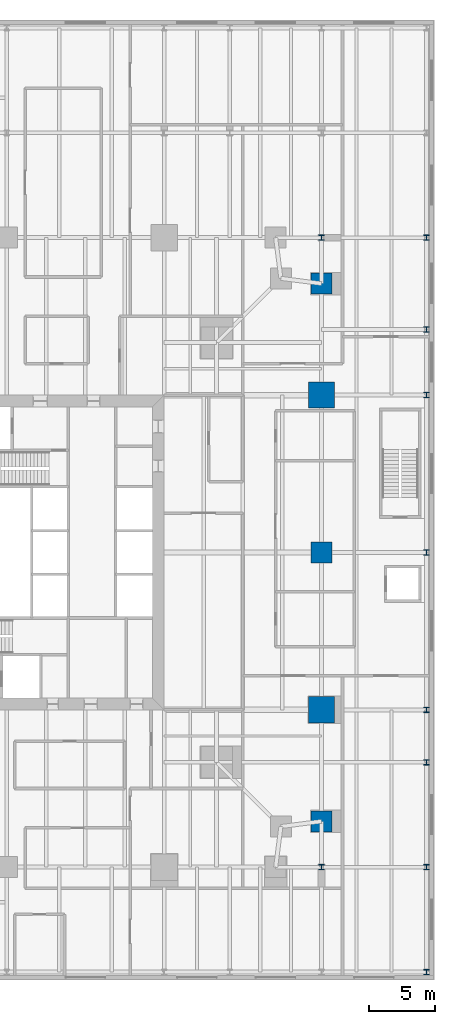
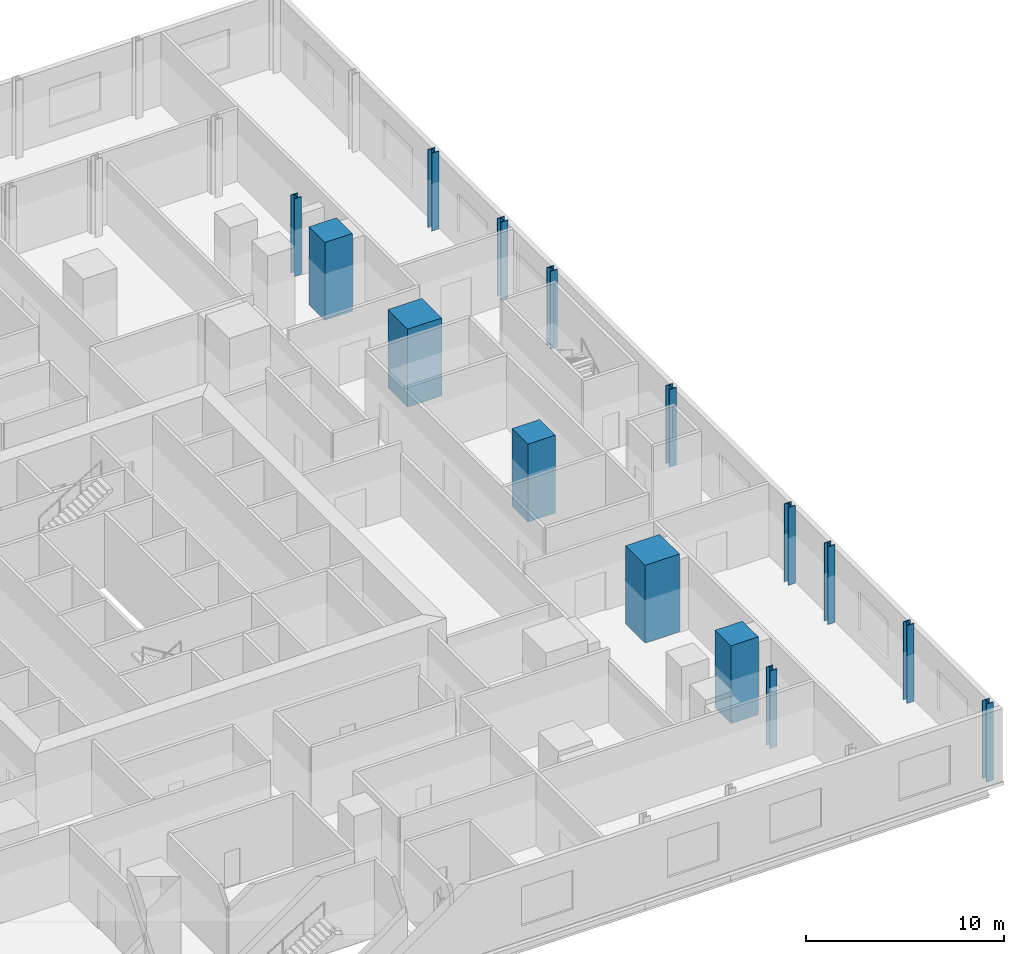
# One storey, part 2 of 17: 15 columns.
"""IFC4 building model written with IfcOpenShell, lengths in metres."""

from ifc_helpers import new_model, si_unit, direction, frame, origin, origin_2d, place, context, subcontext, project, spatial, rectangle, i_section, extrude, material, material_profile, profile_set, type_object, element, save


model = new_model("IFC4")

# Units and contexts
model_context = context("Model", 3, precision=1e-05, world=origin(), true_north=direction((0.0, 1.0)))
body_context = subcontext(model_context, "Body", "Model", "MODEL_VIEW")
ifc_project = project(units=[si_unit("LENGTHUNIT", "METRE"), si_unit("AREAUNIT", "SQUARE_METRE"), si_unit("VOLUMEUNIT", "CUBIC_METRE"), si_unit("PLANEANGLEUNIT", "RADIAN"), si_unit("MASSUNIT", "GRAM", prefix="KILO")], contexts=[model_context])

# Site, building, storey
site_placement = place(None, origin())
site = spatial("IfcSite", under=ifc_project, at=site_placement, CompositionType="ELEMENT")
building_placement = place(site_placement, origin())
building = spatial("IfcBuilding", under=site, at=building_placement, Name="Fenwick Lantern Interchange", CompositionType="ELEMENT")
storey_placement = place(building_placement, frame((0.0, 0.0, 21.39990234375)))
storey = spatial("IfcBuildingStorey", under=building, at=storey_placement, Name="L04", CompositionType="ELEMENT", Elevation=21.39990234375)

# Columns
ifc_material_1 = material(Name="Concrete f'c 70 MPa", Category="concrete")
ifc_material_profile_1 = material_profile(ifc_material_1, rectangle(XDim=1.60009765625, YDim=1.60009765625, at=origin_2d()), Name="RC1600X1600")
ifc_profile_set_1 = profile_set([ifc_material_profile_1], Name="Concrete f'c 70 MPa")
column_type_1 = type_object("IfcColumnType", Name="PERIMETER COLUMN RC1600X1600", PredefinedType="COLUMN", material=ifc_profile_set_1)
for number, where, z_axis, x_axis, name in (
    (1, (49.0, 4.5, 0.0), (0.0, 0.0, 1.0), (1.0, 0.0, 0.0), "L04/CE1"),
    (2, (49.0, 25.0, 0.0), (0.0, 0.0, 1.0), (1.0, 0.0, 0.0), "L04/CE3"),
    (3, (49.0, 45.5, 0.0), (0.0, 0.0, 1.0), (1.0, 0.0, 0.0), "L04/CE5"),
):
    element("IfcColumn", number, at=place(storey_placement, frame(where, z_axis=z_axis, x_axis=x_axis)), inside=storey, type_object=column_type_1, Name=name, PredefinedType="COLUMN", context=body_context, shape_type="SweptSolid", body=[
        extrude(rectangle(XDim=1.60009765625, YDim=1.60009765625, at=origin_2d()), origin(), (0.0, 0.0, 1.0), 4.800048828125),
    ])
ifc_material_profile_2 = material_profile(ifc_material_1, rectangle(XDim=2.0, YDim=2.0, at=origin_2d()), Name="RC2000X2000")
ifc_profile_set_2 = profile_set([ifc_material_profile_2], Name="Concrete f'c 70 MPa")
column_type_2 = type_object("IfcColumnType", Name="PERIMETER COLUMN RC2000X2000", PredefinedType="COLUMN", material=ifc_profile_set_2)
for number, where, z_axis, x_axis, name in (
    (4, (49.0, 13.0, 0.0), (0.0, 0.0, 1.0), (1.0, 0.0, 0.0), "L04/CE2"),
    (5, (49.0, 37.0, 0.0), (0.0, 0.0, 1.0), (1.0, 0.0, 0.0), "L04/CE4"),
):
    element("IfcColumn", number, at=place(storey_placement, frame(where, z_axis=z_axis, x_axis=x_axis)), inside=storey, type_object=column_type_2, Name=name, PredefinedType="COLUMN", context=body_context, shape_type="SweptSolid", body=[
        extrude(rectangle(XDim=2.0, YDim=2.0, at=origin_2d()), origin(), (0.0, 0.0, 1.0), 4.800048828125),
    ])
ifc_material_2 = material(Name="Steel ASTM A992 Grade 50", Category="steel")
ifc_material_profile_3 = material_profile(ifc_material_2, i_section(OverallWidth=0.406494140625, OverallDepth=0.41650390625, WebThickness=0.030029296875, FlangeThickness=0.048095703125, at=origin_2d()), Name="W14X257")
ifc_profile_set_3 = profile_set([ifc_material_profile_3], Name="Steel ASTM A992 Grade 50")
column_type_3 = type_object("IfcColumnType", Name="PODIUM COLUMN W14X257", PredefinedType="COLUMN", material=ifc_profile_set_3)
for number, where, z_axis, x_axis, name in (
    (6, (49.0, 1.0, 0.0), (0.0, 0.0, 1.0), (1.0, 0.0, 0.0), "L04/PC9"),
    (7, (49.0, 49.0, 0.0), (0.0, 0.0, 1.0), (1.0, 0.0, 0.0), "L04/PJ9"),
    (8, (57.0, -7.0, 0.0), (0.0, 0.0, 1.0), (1.0, 0.0, 0.0), "L04/PB10"),
    (9, (57.0, 1.0, 0.0), (0.0, 0.0, 1.0), (1.0, 0.0, 0.0), "L04/PC10"),
    (10, (57.0, 9.0, 0.0), (0.0, 0.0, 1.0), (1.0, 0.0, 0.0), "L04/PD10"),
    (11, (57.0, 13.0, 0.0), (0.0, 0.0, 1.0), (1.0, 0.0, 0.0), "L04/PE10"),
    (12, (57.0, 25.0, 0.0), (0.0, 0.0, 1.0), (1.0, 0.0, 0.0), "L04/PF10"),
    (13, (57.0, 37.0, 0.0), (0.0, 0.0, 1.0), (1.0, 0.0, 0.0), "L04/PG10"),
    (14, (57.0, 42.0, 0.0), (0.0, 0.0, 1.0), (1.0, 0.0, 0.0), "L04/PH10"),
    (15, (57.0, 49.0, 0.0), (0.0, 0.0, 1.0), (1.0, 0.0, 0.0), "L04/PJ10"),
):
    element("IfcColumn", number, at=place(storey_placement, frame(where, z_axis=z_axis, x_axis=x_axis)), inside=storey, type_object=column_type_3, Name=name, PredefinedType="COLUMN", context=body_context, shape_type="SweptSolid", body=[
        extrude(i_section(OverallWidth=0.406494140625, OverallDepth=0.41650390625, WebThickness=0.030029296875, FlangeThickness=0.048095703125, at=origin_2d()), origin(), (0.0, 0.0, 1.0), 4.800048828125),
    ])

save(model, "model.ifc")
